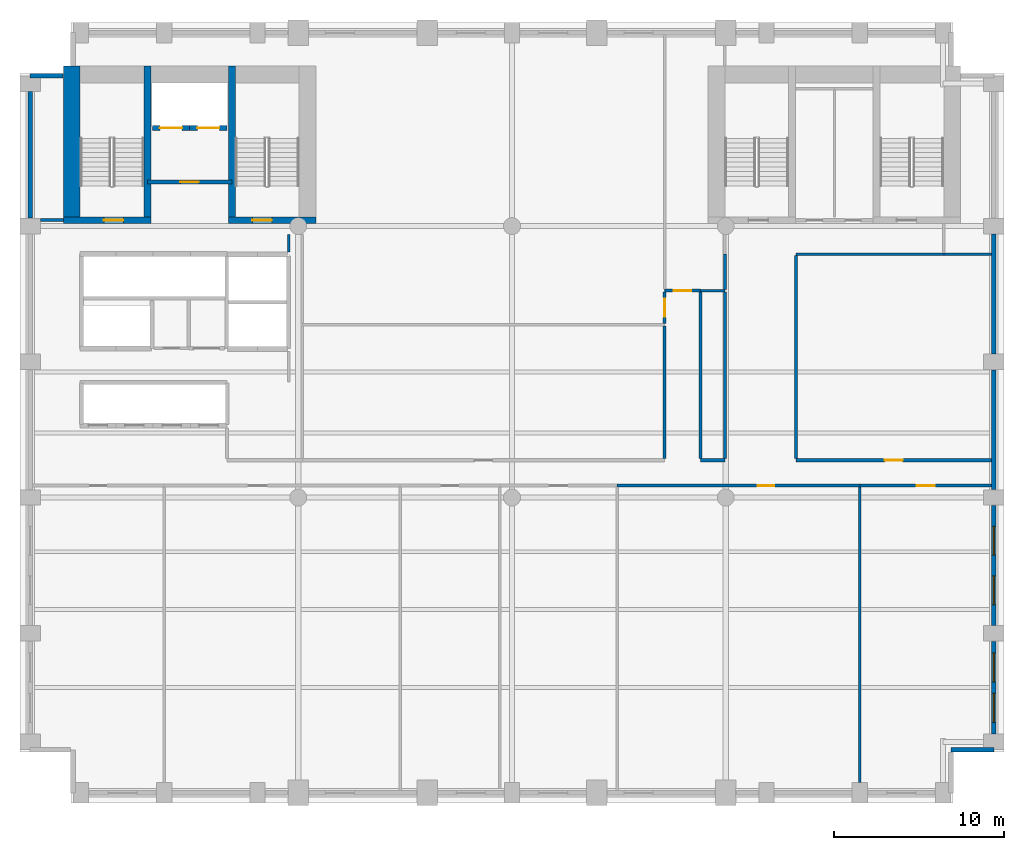
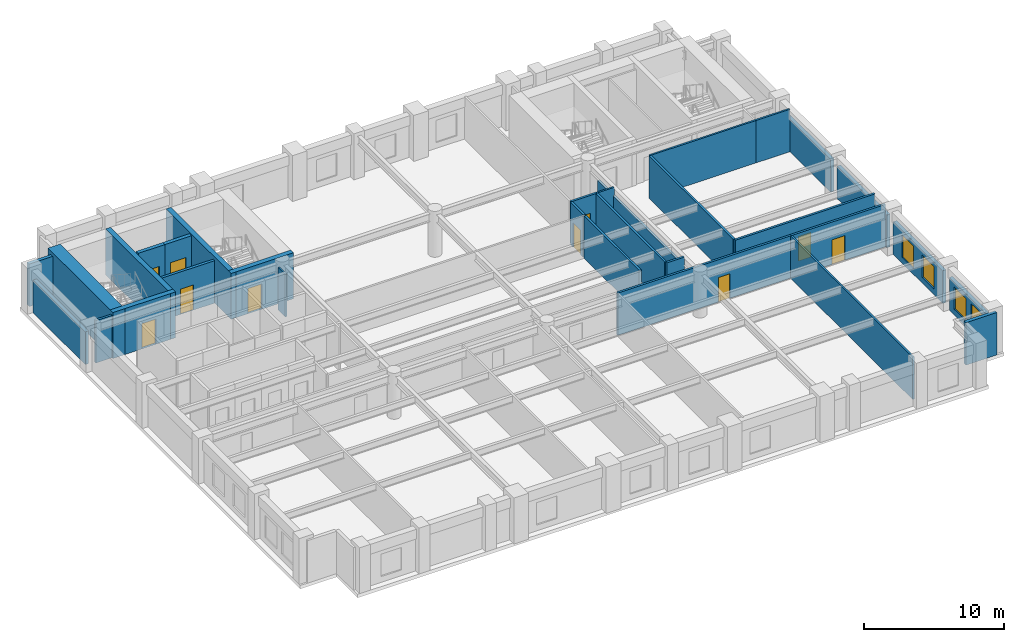
# One storey, part 4 of 8: 32 walls, 10 doors, 4 windows, 14 openings.
"""IFC4 building model written with IfcOpenShell, lengths in metres."""

from ifc_helpers import new_model, si_unit, direction, frame, frame_2d, origin, place, context, subcontext, project, spatial, rectangle, extrude, material, layer, layer_set, type_object, element, fill, save


model = new_model("IFC4")

# Units and contexts
model_context = context("Model", 3, precision=1e-05, world=origin(), true_north=direction((0.0, 1.0)))
body_context = subcontext(model_context, "Body", "Model", "MODEL_VIEW")
ifc_project = project(units=[si_unit("LENGTHUNIT", "METRE"), si_unit("AREAUNIT", "SQUARE_METRE"), si_unit("VOLUMEUNIT", "CUBIC_METRE"), si_unit("PLANEANGLEUNIT", "RADIAN"), si_unit("MASSUNIT", "GRAM", prefix="KILO")], contexts=[model_context])

# Site, building, storey
site_placement = place(None, origin())
site = spatial("IfcSite", under=ifc_project, at=site_placement, CompositionType="ELEMENT")
building_placement = place(site_placement, origin())
building = spatial("IfcBuilding", under=site, at=building_placement, Name="Sulina Concourse Tower", CompositionType="ELEMENT")
storey_placement = place(building_placement, frame((0.0, 0.0, 70.60009765625)))
storey = spatial("IfcBuildingStorey", under=building, at=storey_placement, Name="L17", CompositionType="ELEMENT", Elevation=70.60009765625)

# Wall, opening, door
ifc_material_1 = material(Name="Concrete C50/60", Category="concrete")
ifc_layer_1 = layer(ifc_material_1, 0.300048828125)
ifc_layer_set_1 = layer_set([ifc_layer_1], Name="Concrete C50/60")
wall_type_1 = type_object("IfcWallType", Name="Core Lift Hoistway Wall 300mm", PredefinedType="SOLIDWALL", material=ifc_layer_set_1)
wall_1_placement = place(storey_placement, frame((10.0, 39.780029296875, 0.0), z_axis=(0.0, 0.0, 1.0), x_axis=(-1.0, 0.0, 0.0)))
wall_1 = element("IfcWall", 1, at=wall_1_placement, inside=storey, type_object=wall_type_1, Name="L17 hoistway enclosure wall FFL-1", PredefinedType="SOLIDWALL", context=body_context, shape_type="SweptSolid", body=[
    extrude(rectangle(XDim=2.199951171875, YDim=0.300048828125, at=frame_2d((1.10009765625, 0.0))), origin(), (0.0, 0.0, 1.0), 4.0),
])
opening_1_placement = place(wall_1_placement, frame((0.449951171875, 0.0, 0.0)))
opening_1 = element("IfcOpeningElement", 2, at=opening_1_placement, cuts=wall_1, Name="Opening LD-02", PredefinedType="OPENING", context=body_context, shape_type="SweptSolid", body=[
    extrude(rectangle(XDim=1.300048828125, YDim=2.25, at=frame_2d((0.64990234375, 1.125))), frame((0.0, 0.159912109375, 0.0), z_axis=(0.0, -1.0, 0.0), x_axis=(1.0, 0.0, 0.0)), (0.0, 0.0, 1.0), 0.320068359375),
])
ifc_material_2 = material(Name="Stainless steel lift landing door", Category="steel")
ifc_layer_2 = layer(ifc_material_2, 0.050048828125)
ifc_layer_set_2 = layer_set([ifc_layer_2], Name="Stainless steel lift landing door")
door_type_1 = type_object("IfcDoorType", Name="Firefighting Lift Sliding Landing Door 1300x2250", OperationType="SLIDING_TO_RIGHT", PredefinedType="DOOR", material=ifc_layer_set_2)
door_1_placement = place(opening_1_placement, origin())
door_1 = element("IfcDoor", 3, at=door_1_placement, inside=storey, type_object=door_type_1, Name="L17 lift landing sliding door FFL-1", OperationType="SLIDING_TO_LEFT", OverallHeight=2.25, OverallWidth=1.300048828125, PredefinedType="DOOR", context=body_context, shape_type="SweptSolid", body=[
    extrude(rectangle(XDim=1.300048828125, YDim=2.25, at=frame_2d((0.64990234375, 1.125))), frame((0.0, 0.02490234375, 0.0), z_axis=(0.0, -1.0, 0.0), x_axis=(1.0, 0.0, 0.0)), (0.0, 0.0, 1.0), 0.050048828125),
])
fill(opening_1, door_1)

wall_2_placement = place(storey_placement, frame((12.199951171875, 39.780029296875, 0.0), z_axis=(0.0, 0.0, 1.0), x_axis=(-1.0, 0.0, 0.0)))
wall_2 = element("IfcWall", 4, at=wall_2_placement, inside=storey, type_object=wall_type_1, Name="L17 hoistway enclosure wall FFL-2", PredefinedType="SOLIDWALL", context=body_context, shape_type="SweptSolid", body=[
    extrude(rectangle(XDim=2.199951171875, YDim=0.300048828125, at=frame_2d((1.10009765625, 0.0))), origin(), (0.0, 0.0, 1.0), 4.0),
])
opening_2_placement = place(wall_2_placement, frame((0.449951171875, 0.0, 0.0)))
opening_2 = element("IfcOpeningElement", 5, at=opening_2_placement, cuts=wall_2, Name="Opening LD-02", PredefinedType="OPENING", context=body_context, shape_type="SweptSolid", body=[
    extrude(rectangle(XDim=1.300048828125, YDim=2.25, at=frame_2d((0.64990234375, 1.125))), frame((0.0, 0.159912109375, 0.0), z_axis=(0.0, -1.0, 0.0), x_axis=(1.0, 0.0, 0.0)), (0.0, 0.0, 1.0), 0.320068359375),
])
door_2_placement = place(opening_2_placement, origin())
door_2 = element("IfcDoor", 6, at=door_2_placement, inside=storey, type_object=door_type_1, Name="L17 lift landing sliding door FFL-2", OperationType="SLIDING_TO_RIGHT", OverallHeight=2.25, OverallWidth=1.300048828125, PredefinedType="DOOR", context=body_context, shape_type="SweptSolid", body=[
    extrude(rectangle(XDim=1.300048828125, YDim=2.25, at=frame_2d((0.64990234375, 1.125))), frame((0.0, 0.02490234375, 0.0), z_axis=(0.0, -1.0, 0.0), x_axis=(1.0, 0.0, 0.0)), (0.0, 0.0, 1.0), 0.050048828125),
])
fill(opening_2, door_2)

ifc_material_3 = material(Name="Gypsum board on steel stud", Category="steel")
ifc_layer_3 = layer(ifc_material_3, 0.219970703125)
ifc_layer_set_3 = layer_set([ifc_layer_3], Name="Gypsum board on steel stud")
wall_type_2 = type_object("IfcWallType", Name="Fire-Rated Lobby & Compartment Wall 220mm", PredefinedType="PARTITIONING", material=ifc_layer_set_3)
wall_3_placement = place(storey_placement, frame((7.510009765625, 36.60009765625, 0.0), z_axis=(0.0, 0.0, 1.0), x_axis=(1.0, 0.0, 0.0)))
wall_3 = element("IfcWall", 7, at=wall_3_placement, inside=storey, type_object=wall_type_2, Name="L17 firefighting lobby south fire wall", PredefinedType="PARTITIONING", context=body_context, shape_type="SweptSolid", body=[
    extrude(rectangle(XDim=4.97998046875, YDim=0.219970703125, at=frame_2d((2.489990234375, 0.0))), origin(), (0.0, 0.0, 1.0), 3.699951171875),
])
opening_3_placement = place(wall_3_placement, frame((1.93994140625, 0.0, 0.0)))
opening_3 = element("IfcOpeningElement", 8, at=opening_3_placement, cuts=wall_3, Name="Opening DR-47", PredefinedType="OPENING", context=body_context, shape_type="SweptSolid", body=[
    extrude(rectangle(XDim=1.10009765625, YDim=2.199951171875, at=frame_2d((0.550048828125, 1.10009765625))), frame((0.0, 0.119873046875, 0.0), z_axis=(0.0, -1.0, 0.0), x_axis=(1.0, 0.0, 0.0)), (0.0, 0.0, 1.0), 0.239990234375),
])
ifc_material_4 = material(Name="Galvanised steel acoustic fire leaf", Category="steel")
ifc_layer_4 = layer(ifc_material_4, 0.054931640625)
ifc_layer_set_4 = layer_set([ifc_layer_4], Name="Galvanised steel acoustic fire leaf")
door_type_2 = type_object("IfcDoorType", Name="Firefighting Lobby Fire Door 1100x2200", OperationType="NOTDEFINED", PredefinedType="DOOR", material=ifc_layer_set_4)
door_3_placement = place(opening_3_placement, origin())
door_3 = element("IfcDoor", 9, at=door_3_placement, inside=storey, type_object=door_type_2, Name="L17 firefighting lobby fire door", OperationType="SINGLE_SWING_RIGHT", OverallHeight=2.199951171875, OverallWidth=1.10009765625, PredefinedType="DOOR", context=body_context, shape_type="SweptSolid", body=[
    extrude(rectangle(XDim=1.10009765625, YDim=2.199951171875, at=frame_2d((0.550048828125, 1.10009765625))), frame((0.0, 0.02490234375, 0.0), z_axis=(0.0, -1.0, 0.0), x_axis=(1.0, 0.0, 0.0)), (0.0, 0.0, 1.0), 0.050048828125),
])
fill(opening_3, door_3)

# Walls
ifc_material_5 = material(Name="Gypsum board on steel stud", Category="steel")
ifc_layer_5 = layer(ifc_material_5, 0.14990234375)
ifc_layer_set_5 = layer_set([ifc_layer_5], Name="Gypsum board on steel stud")
wall_type_3 = type_object("IfcWallType", Name="Inter-Tenancy Acoustic Partition 150mm", PredefinedType="PARTITIONING", material=ifc_layer_set_5)
wall_4_placement = place(storey_placement, frame((40.10009765625, 30.199951171875, 0.0), z_axis=(0.0, 0.0, 1.0), x_axis=(1.0, 0.0, 0.0)))
element("IfcWall", 10, at=wall_4_placement, inside=storey, type_object=wall_type_3, Name="L17 interior partition 015", PredefinedType="PARTITIONING", context=body_context, shape_type="SweptSolid", body=[
    extrude(rectangle(XDim=1.449951171875, YDim=0.14990234375, at=frame_2d((0.72509765625, 0.0))), origin(), (0.0, 0.0, 1.0), 3.699951171875),
])
wall_5_placement = place(storey_placement, frame((45.75, 32.35009765625, 0.0), z_axis=(0.0, 0.0, 1.0), x_axis=(1.0, 0.0, 0.0)))
element("IfcWall", 11, at=wall_5_placement, inside=storey, type_object=wall_type_3, Name="L17 interior partition 016", PredefinedType="PARTITIONING", context=body_context, shape_type="SweptSolid", body=[
    extrude(rectangle(XDim=8.699951171875, YDim=0.14990234375, at=frame_2d((4.35009765625, 0.0))), origin(), (0.0, 0.0, 1.0), 3.699951171875),
])
wall_6_placement = place(storey_placement, frame((54.449951171875, 32.35009765625, 0.0), z_axis=(0.0, 0.0, 1.0), x_axis=(1.0, 0.0, 0.0)))
element("IfcWall", 12, at=wall_6_placement, inside=storey, type_object=wall_type_3, Name="L17 interior partition 017", PredefinedType="PARTITIONING", context=body_context, shape_type="SweptSolid", body=[
    extrude(rectangle(XDim=2.81005859375, YDim=0.14990234375, at=frame_2d((1.405029296875, 0.0))), origin(), (0.0, 0.0, 1.0), 3.699951171875),
])
wall_7_placement = place(storey_placement, frame((15.85009765625, 32.469970703125, 0.0), z_axis=(0.0, 0.0, 1.0), x_axis=(0.0, 1.0, 0.0)))
element("IfcWall", 13, at=wall_7_placement, inside=storey, type_object=wall_type_3, Name="L17 interior partition 025", PredefinedType="PARTITIONING", context=body_context, shape_type="SweptSolid", body=[
    extrude(rectangle(XDim=1.030029296875, YDim=0.14990234375, at=frame_2d((0.51513671875, 0.0))), origin(), (0.0, 0.0, 1.0), 3.699951171875),
])
wall_8_placement = place(storey_placement, frame((49.5, 1.199951171875, 0.0), z_axis=(0.0, 0.0, 1.0), x_axis=(0.0, 1.0, 0.0)))
element("IfcWall", 14, at=wall_8_placement, inside=storey, type_object=wall_type_3, Name="L17 interior partition 041", PredefinedType="PARTITIONING", context=body_context, shape_type="SweptSolid", body=[
    extrude(rectangle(XDim=17.41015625, YDim=0.14990234375, at=frame_2d((8.705078125, 0.0))), origin(), (0.0, 0.0, 1.0), 3.699951171875),
])

# Wall, opening, door
ifc_material_6 = material(Name="Gypsum board on steel stud", Category="steel")
ifc_layer_6 = layer(ifc_material_6, 0.179931640625)
ifc_layer_set_6 = layer_set([ifc_layer_6], Name="Gypsum board on steel stud")
wall_type_4 = type_object("IfcWallType", Name="Protected Corridor & Riser Partition 180mm", PredefinedType="PARTITIONING", material=ifc_layer_set_6)
wall_9_placement = place(storey_placement, frame((35.199951171875, 18.699951171875, 0.0), z_axis=(0.0, 0.0, 1.0), x_axis=(1.0, 0.0, 0.0)))
wall_9 = element("IfcWall", 15, at=wall_9_placement, inside=storey, type_object=wall_type_4, Name="L17 interior partition 005", PredefinedType="PARTITIONING", context=body_context, shape_type="SweptSolid", body=[
    extrude(rectangle(XDim=14.300048828125, YDim=0.179931640625, at=frame_2d((7.14990234375, 0.0))), origin(), (0.0, 0.0, 1.0), 3.699951171875),
])
opening_4_placement = place(wall_9_placement, frame((8.294921875, 0.0, 0.0)))
opening_4 = element("IfcOpeningElement", 16, at=opening_4_placement, cuts=wall_9, Name="Opening DR-19", PredefinedType="OPENING", context=body_context, shape_type="SweptSolid", body=[
    extrude(rectangle(XDim=0.949951171875, YDim=2.14990234375, at=frame_2d((0.47509765625, 1.074951171875))), frame((0.0, 0.099853515625, 0.0), z_axis=(0.0, -1.0, 0.0), x_axis=(1.0, 0.0, 0.0)), (0.0, 0.0, 1.0), 0.199951171875),
])
ifc_material_7 = material(Name="Oak-veneered acoustic timber leaf", Category="wood")
ifc_layer_7 = layer(ifc_material_7, 0.050048828125)
ifc_layer_set_7 = layer_set([ifc_layer_7], Name="Oak-veneered acoustic timber leaf")
door_type_3 = type_object("IfcDoorType", Name="Cellular Office & Meeting Door 950x2150", OperationType="NOTDEFINED", PredefinedType="DOOR", material=ifc_layer_set_7)
door_4_placement = place(opening_4_placement, origin())
door_4 = element("IfcDoor", 17, at=door_4_placement, inside=storey, type_object=door_type_3, Name="L17 interior door L17-S04", OperationType="SINGLE_SWING_LEFT", OverallHeight=2.14990234375, OverallWidth=0.949951171875, PredefinedType="DOOR", context=body_context, shape_type="SweptSolid", body=[
    extrude(rectangle(XDim=0.949951171875, YDim=2.14990234375, at=frame_2d((0.47509765625, 1.074951171875))), frame((0.0, 0.02490234375, 0.0), z_axis=(0.0, -1.0, 0.0), x_axis=(1.0, 0.0, 0.0)), (0.0, 0.0, 1.0), 0.050048828125),
])
fill(opening_4, door_4)

wall_10_placement = place(storey_placement, frame((49.5, 18.699951171875, 0.0), z_axis=(0.0, 0.0, 1.0), x_axis=(1.0, 0.0, 0.0)))
wall_10 = element("IfcWall", 18, at=wall_10_placement, inside=storey, type_object=wall_type_4, Name="L17 interior partition 006", PredefinedType="PARTITIONING", context=body_context, shape_type="SweptSolid", body=[
    extrude(rectangle(XDim=7.760009765625, YDim=0.179931640625, at=frame_2d((3.8798828125, 0.0))), origin(), (0.0, 0.0, 1.0), 3.699951171875),
])
opening_5_placement = place(wall_10_placement, frame((3.35498046875, 0.0, 0.0)))
opening_5 = element("IfcOpeningElement", 19, at=opening_5_placement, cuts=wall_10, Name="Opening DR-37", PredefinedType="OPENING", context=body_context, shape_type="SweptSolid", body=[
    extrude(rectangle(XDim=1.050048828125, YDim=2.14990234375, at=frame_2d((0.52490234375, 1.074951171875))), frame((0.0, 0.099853515625, 0.0), z_axis=(0.0, -1.0, 0.0), x_axis=(1.0, 0.0, 0.0)), (0.0, 0.0, 1.0), 0.199951171875),
])
ifc_material_8 = material(Name="Oak-veneered fire door leaf")
ifc_layer_8 = layer(ifc_material_8, 0.050048828125)
ifc_layer_set_8 = layer_set([ifc_layer_8], Name="Oak-veneered fire door leaf")
door_type_4 = type_object("IfcDoorType", Name="Tenant Suite Entrance Fire Door 1050x2150", OperationType="NOTDEFINED", PredefinedType="DOOR", material=ifc_layer_set_8)
door_5_placement = place(opening_5_placement, origin())
door_5 = element("IfcDoor", 20, at=door_5_placement, inside=storey, type_object=door_type_4, Name="L17 interior door L17-S05", OperationType="SINGLE_SWING_RIGHT", OverallHeight=2.14990234375, OverallWidth=1.050048828125, PredefinedType="DOOR", context=body_context, shape_type="SweptSolid", body=[
    extrude(rectangle(XDim=1.050048828125, YDim=2.14990234375, at=frame_2d((0.52490234375, 1.074951171875))), frame((0.0, 0.02490234375, 0.0), z_axis=(0.0, -1.0, 0.0), x_axis=(1.0, 0.0, 0.0)), (0.0, 0.0, 1.0), 0.050048828125),
])
fill(opening_5, door_5)

# Wall
wall_11_placement = place(storey_placement, frame((40.10009765625, 20.199951171875, 0.0), z_axis=(0.0, 0.0, 1.0), x_axis=(1.0, 0.0, 0.0)))
element("IfcWall", 21, at=wall_11_placement, inside=storey, type_object=wall_type_4, Name="L17 interior partition 009", PredefinedType="PARTITIONING", context=body_context, shape_type="SweptSolid", body=[
    extrude(rectangle(XDim=1.449951171875, YDim=0.179931640625, at=frame_2d((0.72509765625, 0.0))), origin(), (0.0, 0.0, 1.0), 3.699951171875),
])

# Wall, opening, door
wall_12_placement = place(storey_placement, frame((45.75, 20.199951171875, 0.0), z_axis=(0.0, 0.0, 1.0), x_axis=(1.0, 0.0, 0.0)))
wall_12 = element("IfcWall", 22, at=wall_12_placement, inside=storey, type_object=wall_type_4, Name="L17 interior partition 010", PredefinedType="PARTITIONING", context=body_context, shape_type="SweptSolid", body=[
    extrude(rectangle(XDim=11.510009765625, YDim=0.179931640625, at=frame_2d((5.7548828125, 0.0))), origin(), (0.0, 0.0, 1.0), 3.699951171875),
])
opening_6_placement = place(wall_12_placement, frame((5.22998046875, 0.0, 0.0)))
opening_6 = element("IfcOpeningElement", 23, at=opening_6_placement, cuts=wall_12, Name="Opening DR-37", PredefinedType="OPENING", context=body_context, shape_type="SweptSolid", body=[
    extrude(rectangle(XDim=1.050048828125, YDim=2.14990234375, at=frame_2d((0.52490234375, 1.074951171875))), frame((0.0, 0.099853515625, 0.0), z_axis=(0.0, -1.0, 0.0), x_axis=(1.0, 0.0, 0.0)), (0.0, 0.0, 1.0), 0.199951171875),
])
door_6_placement = place(opening_6_placement, origin())
door_6 = element("IfcDoor", 24, at=door_6_placement, inside=storey, type_object=door_type_4, Name="L17 interior door L17-NE1", OperationType="SINGLE_SWING_RIGHT", OverallHeight=2.14990234375, OverallWidth=1.050048828125, PredefinedType="DOOR", context=body_context, shape_type="SweptSolid", body=[
    extrude(rectangle(XDim=1.050048828125, YDim=2.14990234375, at=frame_2d((0.52490234375, 1.074951171875))), frame((0.0, 0.02490234375, 0.0), z_axis=(0.0, -1.0, 0.0), x_axis=(1.0, 0.0, 0.0)), (0.0, 0.0, 1.0), 0.050048828125),
])
fill(opening_6, door_6)

wall_13_placement = place(storey_placement, frame((38.0, 30.199951171875, 0.0), z_axis=(0.0, 0.0, 1.0), x_axis=(1.0, 0.0, 0.0)))
wall_13 = element("IfcWall", 25, at=wall_13_placement, inside=storey, type_object=wall_type_4, Name="L17 interior partition 014", PredefinedType="PARTITIONING", context=body_context, shape_type="SweptSolid", body=[
    extrude(rectangle(XDim=2.10009765625, YDim=0.179931640625, at=frame_2d((1.050048828125, 0.0))), origin(), (0.0, 0.0, 1.0), 3.699951171875),
])
opening_7_placement = place(wall_13_placement, frame((0.52490234375, 0.0, 0.0)))
opening_7 = element("IfcOpeningElement", 26, at=opening_7_placement, cuts=wall_13, Name="Opening DR-37", PredefinedType="OPENING", context=body_context, shape_type="SweptSolid", body=[
    extrude(rectangle(XDim=1.050048828125, YDim=2.14990234375, at=frame_2d((0.52490234375, 1.074951171875))), frame((0.0, 0.099853515625, 0.0), z_axis=(0.0, -1.0, 0.0), x_axis=(1.0, 0.0, 0.0)), (0.0, 0.0, 1.0), 0.199951171875),
])
door_7_placement = place(opening_7_placement, origin())
door_7 = element("IfcDoor", 27, at=door_7_placement, inside=storey, type_object=door_type_4, Name="L17 interior door L17-NC4", OperationType="SINGLE_SWING_RIGHT", OverallHeight=2.14990234375, OverallWidth=1.050048828125, PredefinedType="DOOR", context=body_context, shape_type="SweptSolid", body=[
    extrude(rectangle(XDim=1.050048828125, YDim=2.14990234375, at=frame_2d((0.52490234375, 1.074951171875))), frame((0.0, 0.02490234375, 0.0), z_axis=(0.0, -1.0, 0.0), x_axis=(1.0, 0.0, 0.0)), (0.0, 0.0, 1.0), 0.050048828125),
])
fill(opening_7, door_7)

# Walls
wall_14_placement = place(storey_placement, frame((1.199951171875, 34.35009765625, 0.0), z_axis=(0.0, 0.0, 1.0), x_axis=(1.0, 0.0, 0.0)))
element("IfcWall", 28, at=wall_14_placement, inside=storey, type_object=wall_type_4, Name="L17 interior partition 018", PredefinedType="PARTITIONING", context=body_context, shape_type="SweptSolid", body=[
    extrude(rectangle(XDim=1.35009765625, YDim=0.179931640625, at=frame_2d((0.675048828125, 0.0))), origin(), (0.0, 0.0, 1.0), 3.699951171875),
])
wall_15_placement = place(storey_placement, frame((38.0, 20.2900390625, 0.0), z_axis=(0.0, 0.0, 1.0), x_axis=(0.0, 1.0, 0.0)))
element("IfcWall", 29, at=wall_15_placement, inside=storey, type_object=wall_type_4, Name="L17 interior partition 031", PredefinedType="PARTITIONING", context=body_context, shape_type="SweptSolid", body=[
    extrude(rectangle(XDim=7.8349609375, YDim=0.179931640625, at=frame_2d((3.91748046875, 0.0))), origin(), (0.0, 0.0, 1.0), 3.699951171875),
])

# Wall, opening, door
wall_16_placement = place(storey_placement, frame((38.0, 28.27490234375, 0.0), z_axis=(0.0, 0.0, 1.0), x_axis=(0.0, 1.0, 0.0)))
wall_16 = element("IfcWall", 30, at=wall_16_placement, inside=storey, type_object=wall_type_4, Name="L17 interior partition 032", PredefinedType="PARTITIONING", context=body_context, shape_type="SweptSolid", body=[
    extrude(rectangle(XDim=1.835205078125, YDim=0.179931640625, at=frame_2d((0.91748046875, 0.0))), origin(), (0.0, 0.0, 1.0), 3.699951171875),
])
opening_8_placement = place(wall_16_placement, frame((0.392578125, 0.0, 0.0)))
opening_8 = element("IfcOpeningElement", 31, at=opening_8_placement, cuts=wall_16, Name="Opening DR-37", PredefinedType="OPENING", context=body_context, shape_type="SweptSolid", body=[
    extrude(rectangle(XDim=1.050048828125, YDim=2.14990234375, at=frame_2d((0.52490234375, 1.074951171875))), frame((0.0, 0.099853515625, 0.0), z_axis=(0.0, -1.0, 0.0), x_axis=(1.0, 0.0, 0.0)), (0.0, 0.0, 1.0), 0.199951171875),
])
door_8_placement = place(opening_8_placement, origin())
door_8 = element("IfcDoor", 32, at=door_8_placement, inside=storey, type_object=door_type_4, Name="L17 interior door L17-NC2", OperationType="SINGLE_SWING_LEFT", OverallHeight=2.14990234375, OverallWidth=1.050048828125, PredefinedType="DOOR", context=body_context, shape_type="SweptSolid", body=[
    extrude(rectangle(XDim=1.050048828125, YDim=2.14990234375, at=frame_2d((0.52490234375, 1.074951171875))), frame((0.0, 0.02490234375, 0.0), z_axis=(0.0, -1.0, 0.0), x_axis=(1.0, 0.0, 0.0)), (0.0, 0.0, 1.0), 0.050048828125),
])
fill(opening_8, door_8)

# Walls
wall_17_placement = place(storey_placement, frame((40.10009765625, 20.2900390625, 0.0), z_axis=(0.0, 0.0, 1.0), x_axis=(0.0, 1.0, 0.0)))
element("IfcWall", 33, at=wall_17_placement, inside=storey, type_object=wall_type_4, Name="L17 interior partition 034", PredefinedType="PARTITIONING", context=body_context, shape_type="SweptSolid", body=[
    extrude(rectangle(XDim=9.820068359375, YDim=0.179931640625, at=frame_2d((4.91015625, 0.0))), origin(), (0.0, 0.0, 1.0), 3.699951171875),
])
wall_18_placement = place(storey_placement, frame((41.550048828125, 20.2900390625, 0.0), z_axis=(0.0, 0.0, 1.0), x_axis=(0.0, 1.0, 0.0)))
element("IfcWall", 34, at=wall_18_placement, inside=storey, type_object=wall_type_4, Name="L17 interior partition 035", PredefinedType="PARTITIONING", context=body_context, shape_type="SweptSolid", body=[
    extrude(rectangle(XDim=9.8349609375, YDim=0.179931640625, at=frame_2d((4.91748046875, 0.0))), origin(), (0.0, 0.0, 1.0), 2.994873046875),
])
wall_19_placement = place(storey_placement, frame((41.550048828125, 30.27490234375, 0.0), z_axis=(0.0, 0.0, 1.0), x_axis=(0.0, 1.0, 0.0)))
element("IfcWall", 35, at=wall_19_placement, inside=storey, type_object=wall_type_4, Name="L17 interior partition 036", PredefinedType="PARTITIONING", context=body_context, shape_type="SweptSolid", body=[
    extrude(rectangle(XDim=2.0751953125, YDim=0.179931640625, at=frame_2d((1.03759765625, 0.0))), origin(), (0.0, 0.0, 1.0), 2.994873046875),
])
wall_20_placement = place(storey_placement, frame((45.75, 20.2900390625, 0.0), z_axis=(0.0, 0.0, 1.0), x_axis=(0.0, 1.0, 0.0)))
element("IfcWall", 36, at=wall_20_placement, inside=storey, type_object=wall_type_4, Name="L17 interior partition 039", PredefinedType="PARTITIONING", context=body_context, shape_type="SweptSolid", body=[
    extrude(rectangle(XDim=11.98486328125, YDim=0.179931640625, at=frame_2d((5.992431640625, 0.0))), origin(), (0.0, 0.0, 1.0), 3.699951171875),
])

# Wall, opening, door
ifc_material_9 = material(Name="Concrete C60/75", Category="concrete")
ifc_layer_9 = layer(ifc_material_9, 0.39990234375)
ifc_layer_set_9 = layer_set([ifc_layer_9], Name="Concrete C60/75")
wall_type_5 = type_object("IfcWallType", Name="Protected Stair Core Shear Wall 400mm", PredefinedType="SHEAR", material=ifc_layer_set_9)
wall_21_placement = place(storey_placement, frame((2.550048828125, 34.35009765625, 0.0), z_axis=(0.0, 0.0, 1.0), x_axis=(1.0, 0.0, 0.0)))
wall_21 = element("IfcWall", 37, at=wall_21_placement, inside=storey, type_object=wall_type_5, Name="L17 west core shear wall CW-WS1", PredefinedType="SHEAR", context=body_context, shape_type="SweptSolid", body=[
    extrude(rectangle(XDim=5.159912109375, YDim=0.39990234375, at=frame_2d((2.580078125, 0.0))), origin(), (0.0, 0.0, 1.0), 4.0),
])
opening_9_placement = place(wall_21_placement, frame((2.39990234375, 0.0, 0.0)))
opening_9 = element("IfcOpeningElement", 38, at=opening_9_placement, cuts=wall_21, Name="Opening DR-60", PredefinedType="OPENING", context=body_context, shape_type="SweptSolid", body=[
    extrude(rectangle(XDim=1.14990234375, YDim=2.199951171875, at=frame_2d((0.574951171875, 1.10009765625))), frame((0.0, 0.2099609375, 0.0), z_axis=(0.0, -1.0, 0.0), x_axis=(1.0, 0.0, 0.0)), (0.0, 0.0, 1.0), 0.419921875),
])
ifc_material_10 = material(Name="Galvanised steel acoustic fire leaf", Category="steel")
ifc_layer_10 = layer(ifc_material_10, 0.054931640625)
ifc_layer_set_10 = layer_set([ifc_layer_10], Name="Galvanised steel acoustic fire leaf")
door_type_5 = type_object("IfcDoorType", Name="Protected Exit Stair Fire Door 1150x2200", OperationType="NOTDEFINED", PredefinedType="DOOR", material=ifc_layer_set_10)
door_9_placement = place(opening_9_placement, origin())
door_9 = element("IfcDoor", 39, at=door_9_placement, inside=storey, type_object=door_type_5, Name="L17 stair ST-1 lobby fire door", OperationType="SINGLE_SWING_RIGHT", OverallHeight=2.199951171875, OverallWidth=1.14990234375, PredefinedType="DOOR", context=body_context, shape_type="SweptSolid", body=[
    extrude(rectangle(XDim=1.14990234375, YDim=2.199951171875, at=frame_2d((0.574951171875, 1.10009765625))), frame((0.0, 0.02490234375, 0.0), z_axis=(0.0, -1.0, 0.0), x_axis=(1.0, 0.0, 0.0)), (0.0, 0.0, 1.0), 0.050048828125),
])
fill(opening_9, door_9)

wall_22_placement = place(storey_placement, frame((12.2900390625, 34.35009765625, 0.0), z_axis=(0.0, 0.0, 1.0), x_axis=(1.0, 0.0, 0.0)))
wall_22 = element("IfcWall", 40, at=wall_22_placement, inside=storey, type_object=wall_type_5, Name="L17 west core shear wall CW-WS2", PredefinedType="SHEAR", context=body_context, shape_type="SweptSolid", body=[
    extrude(rectangle(XDim=5.159912109375, YDim=0.39990234375, at=frame_2d((2.580078125, 0.0))), origin(), (0.0, 0.0, 1.0), 4.0),
])
opening_10_placement = place(wall_22_placement, frame((1.39990234375, 0.0, 0.0)))
opening_10 = element("IfcOpeningElement", 41, at=opening_10_placement, cuts=wall_22, Name="Opening DR-60", PredefinedType="OPENING", context=body_context, shape_type="SweptSolid", body=[
    extrude(rectangle(XDim=1.14990234375, YDim=2.199951171875, at=frame_2d((0.574951171875, 1.10009765625))), frame((0.0, 0.2099609375, 0.0), z_axis=(0.0, -1.0, 0.0), x_axis=(1.0, 0.0, 0.0)), (0.0, 0.0, 1.0), 0.419921875),
])
door_10_placement = place(opening_10_placement, origin())
door_10 = element("IfcDoor", 42, at=door_10_placement, inside=storey, type_object=door_type_5, Name="L17 stair ST-2 lobby fire door", OperationType="SINGLE_SWING_LEFT", OverallHeight=2.199951171875, OverallWidth=1.14990234375, PredefinedType="DOOR", context=body_context, shape_type="SweptSolid", body=[
    extrude(rectangle(XDim=1.14990234375, YDim=2.199951171875, at=frame_2d((0.574951171875, 1.10009765625))), frame((0.0, 0.02490234375, 0.0), z_axis=(0.0, -1.0, 0.0), x_axis=(1.0, 0.0, 0.0)), (0.0, 0.0, 1.0), 0.050048828125),
])
fill(opening_10, door_10)

# Walls
for number, where, z_axis, x_axis, name in (
    (43, (7.510009765625, 34.14990234375, 0.0), (0.0, 0.0, 1.0), (0.0, 1.0, 0.0), "L17 west core shear wall SW-ST1"),
    (44, (12.489990234375, 34.14990234375, 0.0), (0.0, 0.0, 1.0), (0.0, 1.0, 0.0), "L17 west core shear wall SW-ST2"),
):
    element("IfcWall", number, at=place(storey_placement, frame(where, z_axis=z_axis, x_axis=x_axis)), inside=storey, type_object=wall_type_5, Name=name, PredefinedType="SHEAR", context=body_context, shape_type="SweptSolid", body=[
        extrude(rectangle(XDim=9.280029296875, YDim=0.39990234375, at=frame_2d((4.64013671875, 0.0))), origin(), (0.0, 0.0, 1.0), 4.0),
    ])
ifc_material_11 = material(Name="Concrete C80/95", Category="concrete")
ifc_layer_11 = layer(ifc_material_11, 1.0)
ifc_layer_set_11 = layer_set([ifc_layer_11], Name="Concrete C80/95")
wall_type_6 = type_object("IfcWallType", Name="Rear Core Shear Wall 1000mm", PredefinedType="SHEAR", material=ifc_layer_set_11)
wall_23_placement = place(storey_placement, frame((3.050048828125, 34.14990234375, 0.0), z_axis=(0.0, 0.0, 1.0), x_axis=(0.0, 1.0, 0.0)))
element("IfcWall", 45, at=wall_23_placement, inside=storey, type_object=wall_type_6, Name="L17 west core shear wall CW-WW", PredefinedType="SHEAR", context=body_context, shape_type="SweptSolid", body=[
    extrude(rectangle(XDim=9.280029296875, YDim=1.0, at=frame_2d((4.64013671875, 0.0))), origin(), (0.0, 0.0, 1.0), 4.0),
])
ifc_material_12 = material(Name="Precast concrete C50/60", Category="concrete")
ifc_layer_12 = layer(ifc_material_12, 0.280029296875)
ifc_layer_set_12 = layer_set([ifc_layer_12], Name="Precast concrete C50/60")
wall_type_7 = type_object("IfcWallType", Name="Typical Precast Masonry-Frame Facade Wall 280mm", PredefinedType="SOLIDWALL", material=ifc_layer_set_12)
wall_24_placement = place(storey_placement, frame((0.60009765625, 34.469970703125, 0.0), z_axis=(0.0, 0.0, 1.0), x_axis=(0.0, 1.0, 0.0)))
element("IfcWall", 46, at=wall_24_placement, inside=storey, type_object=wall_type_7, Name="L17 exterior precast wall W5", PredefinedType="SOLIDWALL", context=body_context, shape_type="SweptSolid", body=[
    extrude(rectangle(XDim=7.4599609375, YDim=0.280029296875, at=frame_2d((3.72998046875, 0.0))), origin(), (0.0, 0.0, 1.0), 2.849853515625),
])

# Wall, openings, windows
wall_25_placement = place(storey_placement, frame((57.39990234375, 9.530029296875, 0.0), z_axis=(0.0, 0.0, 1.0), x_axis=(0.0, -1.0, 0.0)))
wall_25 = element("IfcWall", 47, at=wall_25_placement, inside=storey, type_object=wall_type_7, Name="L17 exterior precast wall E1", PredefinedType="SOLIDWALL", context=body_context, shape_type="SweptSolid", body=[
    extrude(rectangle(XDim=5.4599609375, YDim=0.280029296875, at=frame_2d((2.72998046875, 0.0))), origin(), (0.0, 0.0, 1.0), 2.849853515625),
])
opening_11_placement = place(wall_25_placement, frame((0.686767578125, 0.0, 0.5)))
opening_11 = element("IfcOpeningElement", 48, at=opening_11_placement, cuts=wall_25, Name="Opening WN-66", PredefinedType="OPENING", context=body_context, shape_type="SweptSolid", body=[
    extrude(rectangle(XDim=1.699951171875, YDim=1.949951171875, at=frame_2d((0.85009765625, 0.97509765625))), frame((0.0, 0.14990234375, 0.0), z_axis=(0.0, -1.0, 0.0), x_axis=(1.0, 0.0, 0.0)), (0.0, 0.0, 1.0), 0.300048828125),
])
opening_12_placement = place(wall_25_placement, frame((3.0732421875, 0.0, 0.5)))
opening_12 = element("IfcOpeningElement", 49, at=opening_12_placement, cuts=wall_25, Name="Opening WN-66", PredefinedType="OPENING", context=body_context, shape_type="SweptSolid", body=[
    extrude(rectangle(XDim=1.699951171875, YDim=1.949951171875, at=frame_2d((0.85009765625, 0.97509765625))), frame((0.0, 0.14990234375, 0.0), z_axis=(0.0, -1.0, 0.0), x_axis=(1.0, 0.0, 0.0)), (0.0, 0.0, 1.0), 0.300048828125),
])
ifc_material_13 = material(Name="Low-E solar double glazing in bronze aluminium", Category="aluminium")
window_type = type_object("IfcWindowType", Name="Recessed Spandrel Window 1700x1950", PartitioningType="SINGLE_PANEL", PredefinedType="WINDOW", material=ifc_material_13)
window_1_placement = place(opening_11_placement, origin())
window_1 = element("IfcWindow", 50, at=window_1_placement, inside=storey, type_object=window_type, Name="L17 punched window E1-1", OverallHeight=1.949951171875, OverallWidth=1.699951171875, PartitioningType="SINGLE_PANEL", PredefinedType="WINDOW", context=body_context, shape_type="SweptSolid", body=[
    extrude(rectangle(XDim=1.699951171875, YDim=1.949951171875, at=frame_2d((0.85009765625, 0.97509765625))), frame((0.0, 0.030029296875, 0.0), z_axis=(0.0, -1.0, 0.0), x_axis=(1.0, 0.0, 0.0)), (0.0, 0.0, 1.0), 0.06005859375),
])
fill(opening_11, window_1)
window_2_placement = place(opening_12_placement, origin())
window_2 = element("IfcWindow", 51, at=window_2_placement, inside=storey, type_object=window_type, Name="L17 punched window E1-2", OverallHeight=1.949951171875, OverallWidth=1.699951171875, PartitioningType="SINGLE_PANEL", PredefinedType="WINDOW", context=body_context, shape_type="SweptSolid", body=[
    extrude(rectangle(XDim=1.699951171875, YDim=1.949951171875, at=frame_2d((0.85009765625, 0.97509765625))), frame((0.0, 0.030029296875, 0.0), z_axis=(0.0, -1.0, 0.0), x_axis=(1.0, 0.0, 0.0)), (0.0, 0.0, 1.0), 0.06005859375),
])
fill(opening_12, window_2)

wall_26_placement = place(storey_placement, frame((57.39990234375, 17.530029296875, 0.0), z_axis=(0.0, 0.0, 1.0), x_axis=(0.0, -1.0, 0.0)))
wall_26 = element("IfcWall", 52, at=wall_26_placement, inside=storey, type_object=wall_type_7, Name="L17 exterior precast wall E2", PredefinedType="SOLIDWALL", context=body_context, shape_type="SweptSolid", body=[
    extrude(rectangle(XDim=7.06005859375, YDim=0.280029296875, at=frame_2d((3.530029296875, 0.0))), origin(), (0.0, 0.0, 1.0), 2.849853515625),
])
opening_13_placement = place(wall_26_placement, frame((1.219970703125, 0.0, 0.5)))
opening_13 = element("IfcOpeningElement", 53, at=opening_13_placement, cuts=wall_26, Name="Opening WN-66", PredefinedType="OPENING", context=body_context, shape_type="SweptSolid", body=[
    extrude(rectangle(XDim=1.699951171875, YDim=1.949951171875, at=frame_2d((0.85009765625, 0.97509765625))), frame((0.0, 0.14990234375, 0.0), z_axis=(0.0, -1.0, 0.0), x_axis=(1.0, 0.0, 0.0)), (0.0, 0.0, 1.0), 0.300048828125),
])
opening_14_placement = place(wall_26_placement, frame((4.139892578125, 0.0, 0.5)))
opening_14 = element("IfcOpeningElement", 54, at=opening_14_placement, cuts=wall_26, Name="Opening WN-66", PredefinedType="OPENING", context=body_context, shape_type="SweptSolid", body=[
    extrude(rectangle(XDim=1.699951171875, YDim=1.949951171875, at=frame_2d((0.85009765625, 0.97509765625))), frame((0.0, 0.14990234375, 0.0), z_axis=(0.0, -1.0, 0.0), x_axis=(1.0, 0.0, 0.0)), (0.0, 0.0, 1.0), 0.300048828125),
])
window_3_placement = place(opening_13_placement, origin())
window_3 = element("IfcWindow", 55, at=window_3_placement, inside=storey, type_object=window_type, Name="L17 punched window E2-1", OverallHeight=1.949951171875, OverallWidth=1.699951171875, PartitioningType="SINGLE_PANEL", PredefinedType="WINDOW", context=body_context, shape_type="SweptSolid", body=[
    extrude(rectangle(XDim=1.699951171875, YDim=1.949951171875, at=frame_2d((0.85009765625, 0.97509765625))), frame((0.0, 0.030029296875, 0.0), z_axis=(0.0, -1.0, 0.0), x_axis=(1.0, 0.0, 0.0)), (0.0, 0.0, 1.0), 0.06005859375),
])
fill(opening_13, window_3)
window_4_placement = place(opening_14_placement, origin())
window_4 = element("IfcWindow", 56, at=window_4_placement, inside=storey, type_object=window_type, Name="L17 punched window E2-2", OverallHeight=1.949951171875, OverallWidth=1.699951171875, PartitioningType="SINGLE_PANEL", PredefinedType="WINDOW", context=body_context, shape_type="SweptSolid", body=[
    extrude(rectangle(XDim=1.699951171875, YDim=1.949951171875, at=frame_2d((0.85009765625, 0.97509765625))), frame((0.0, 0.030029296875, 0.0), z_axis=(0.0, -1.0, 0.0), x_axis=(1.0, 0.0, 0.0)), (0.0, 0.0, 1.0), 0.06005859375),
])
fill(opening_14, window_4)

# Walls
for number, where, z_axis, x_axis, name in (
    (57, (57.39990234375, 25.530029296875, 0.0), (0.0, 0.0, 1.0), (0.0, -1.0, 0.0), "L17 exterior precast wall E3"),
    (58, (57.39990234375, 33.530029296875, 0.0), (0.0, 0.0, 1.0), (0.0, -1.0, 0.0), "L17 exterior precast wall E4"),
):
    element("IfcWall", number, at=place(storey_placement, frame(where, z_axis=z_axis, x_axis=x_axis)), inside=storey, type_object=wall_type_7, Name=name, PredefinedType="SOLIDWALL", context=body_context, shape_type="SweptSolid", body=[
        extrude(rectangle(XDim=7.06005859375, YDim=0.280029296875, at=frame_2d((3.530029296875, 0.0))), origin(), (0.0, 0.0, 1.0), 2.849853515625),
    ])
wall_27_placement = place(storey_placement, frame((0.60009765625, 42.8701171875, 0.0), z_axis=(0.0, 0.0, 1.0), x_axis=(1.0, 0.0, 0.0)))
element("IfcWall", 59, at=wall_27_placement, inside=storey, type_object=wall_type_7, Name="L17 exterior precast wall CNW1", PredefinedType="SOLIDWALL", context=body_context, shape_type="SweptSolid", body=[
    extrude(rectangle(XDim=1.94482421875, YDim=0.280029296875, at=frame_2d((0.972412109375, 0.0))), origin(), (0.0, 0.0, 1.0), 3.699951171875),
])
wall_28_placement = place(storey_placement, frame((57.39990234375, 3.1298828125, 0.0), z_axis=(0.0, 0.0, 1.0), x_axis=(-1.0, 0.0, 0.0)))
element("IfcWall", 60, at=wall_28_placement, inside=storey, type_object=wall_type_7, Name="L17 exterior precast wall CSE1", PredefinedType="SOLIDWALL", context=body_context, shape_type="SweptSolid", body=[
    extrude(rectangle(XDim=2.52978515625, YDim=0.280029296875, at=frame_2d((1.264892578125, 0.0))), origin(), (0.0, 0.0, 1.0), 3.699951171875),
])

save(model, "model.ifc")
